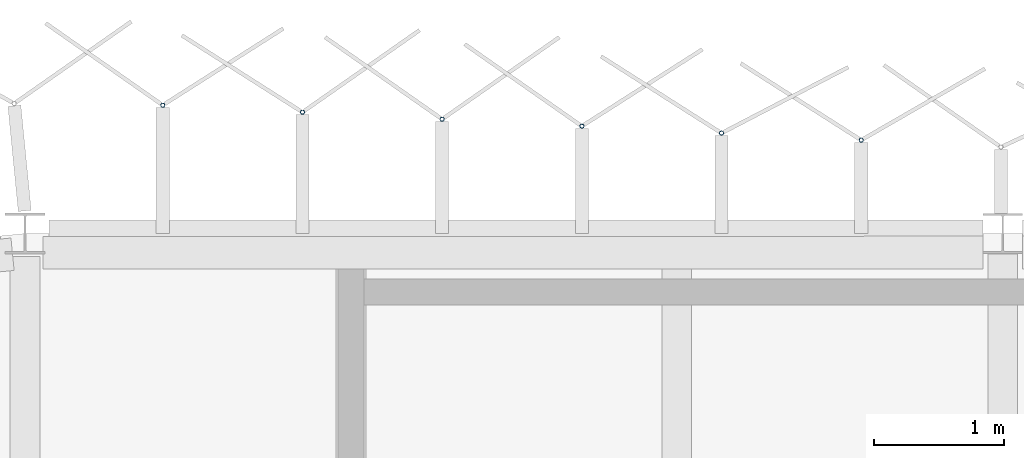
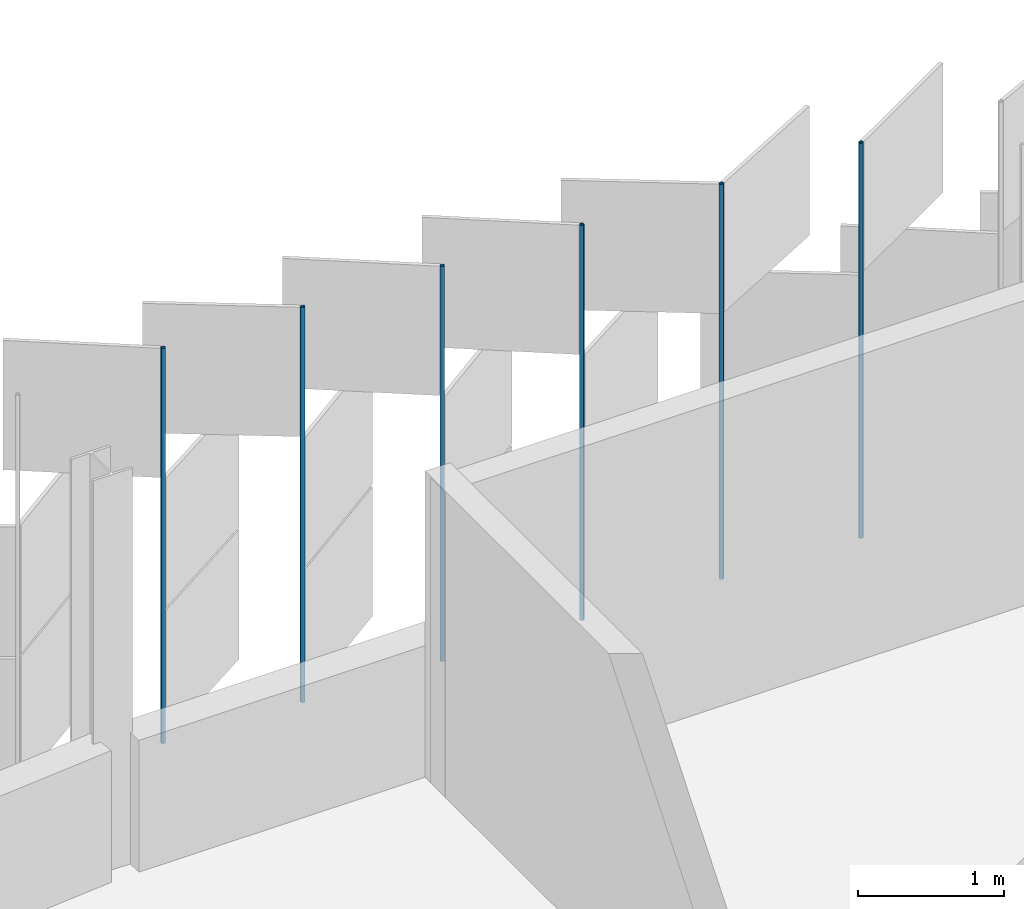
# One storey, part 133 of 198: 6 discrete accessories.
"""IFC4 building model written with IfcOpenShell, lengths in metres."""

from ifc_helpers import new_model, si_unit, direction, frame, origin, origin_2d, place, context, subcontext, project, spatial, hollow_circle, extrude, material, material_profile, profile_set, type_object, element, save


model = new_model("IFC4")

# Units and contexts
model_context = context("Model", 3, precision=1e-05, world=origin(), true_north=direction((0.0, 1.0)))
body_context = subcontext(model_context, "Body", "Model", "MODEL_VIEW")
ifc_project = project(units=[si_unit("LENGTHUNIT", "METRE"), si_unit("AREAUNIT", "SQUARE_METRE"), si_unit("VOLUMEUNIT", "CUBIC_METRE"), si_unit("PLANEANGLEUNIT", "RADIAN"), si_unit("MASSUNIT", "GRAM", prefix="KILO")], contexts=[model_context])

# Site, building, storey
site_placement = place(None, origin())
site = spatial("IfcSite", under=ifc_project, at=site_placement, CompositionType="ELEMENT")
building_placement = place(site_placement, origin())
building = spatial("IfcBuilding", under=site, at=building_placement, Name="Parallax Yard Mobility Hub", CompositionType="ELEMENT")
storey_placement = place(building_placement, frame((0.0, 0.0, 6.60009765625)))
storey = spatial("IfcBuildingStorey", under=building, at=storey_placement, Name="L02", CompositionType="ELEMENT", Elevation=6.60009765625)

# Discrete accessories
ifc_material = material(Name="Steel ASTM A500 Gr C, hot-dip galvanised", Category="steel")
ifc_material_profile = material_profile(ifc_material, hollow_circle(Radius=0.016845703125, WallThickness=0.003173828125, at=origin_2d()), Name="CHS 33.7x3.2")
ifc_profile_set = profile_set([ifc_material_profile], Name="Steel ASTM A500 Gr C, hot-dip galvanised")
discrete_accessory_type = type_object("IfcDiscreteAccessoryType", Name="Hinge post CHS 33.7x3.2", PredefinedType="BRACKET", material=ifc_profile_set)
for number, where, z_axis, x_axis, name in (
    (1, (36.414306640625, 143.216064453125, 0.0), (0.0, 0.0, 1.0), (1.0, 0.0, 0.0), "Hinge post bay 69.2 level L02"),
    (2, (35.3427734375, 143.269775390625, 0.0), (0.0, 0.0, 1.0), (1.0, 0.0, 0.0), "Hinge post bay 69.3 level L02"),
    (3, (34.271240234375, 143.3232421875, 0.0), (0.0, 0.0, 1.0), (1.0, 0.0, 0.0), "Hinge post bay 69.4 level L02"),
    (4, (33.19970703125, 143.376708984375, 0.0), (0.0, 0.0, 1.0), (1.0, 0.0, 0.0), "Hinge post bay 69.5 level L02"),
    (5, (32.128173828125, 143.430419921875, 0.0), (0.0, 0.0, 1.0), (1.0, 0.0, 0.0), "Hinge post bay 69.6 level L02"),
    (6, (31.056396484375, 143.48388671875, 0.0), (0.0, 0.0, 1.0), (1.0, 0.0, 0.0), "Hinge post bay 69.7 level L02"),
):
    element("IfcDiscreteAccessory", number, at=place(storey_placement, frame(where, z_axis=z_axis, x_axis=x_axis)), inside=storey, type_object=discrete_accessory_type, Name=name, PredefinedType="BRACKET", context=body_context, shape_type="SweptSolid", body=[
        extrude(hollow_circle(Radius=0.016845703125, WallThickness=0.003173828125, at=origin_2d()), origin(), (0.0, 0.0, 1.0), 3.2998046875),
    ])

save(model, "model.ifc")
